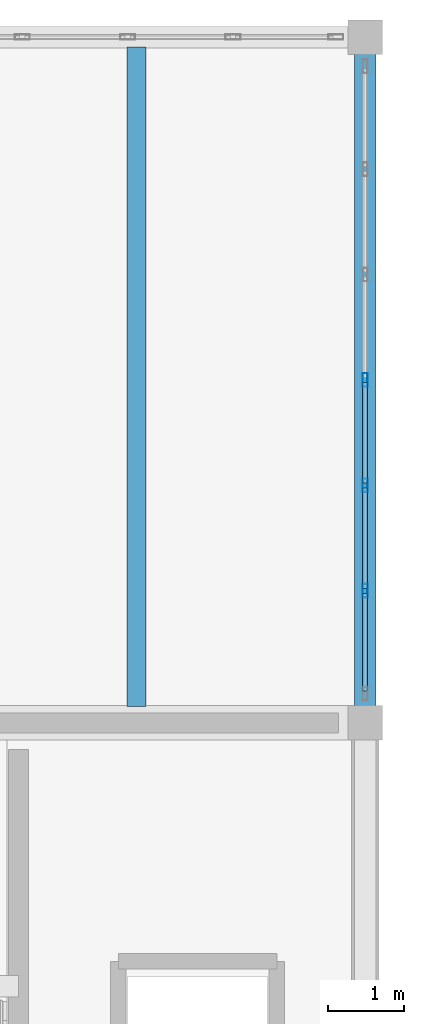
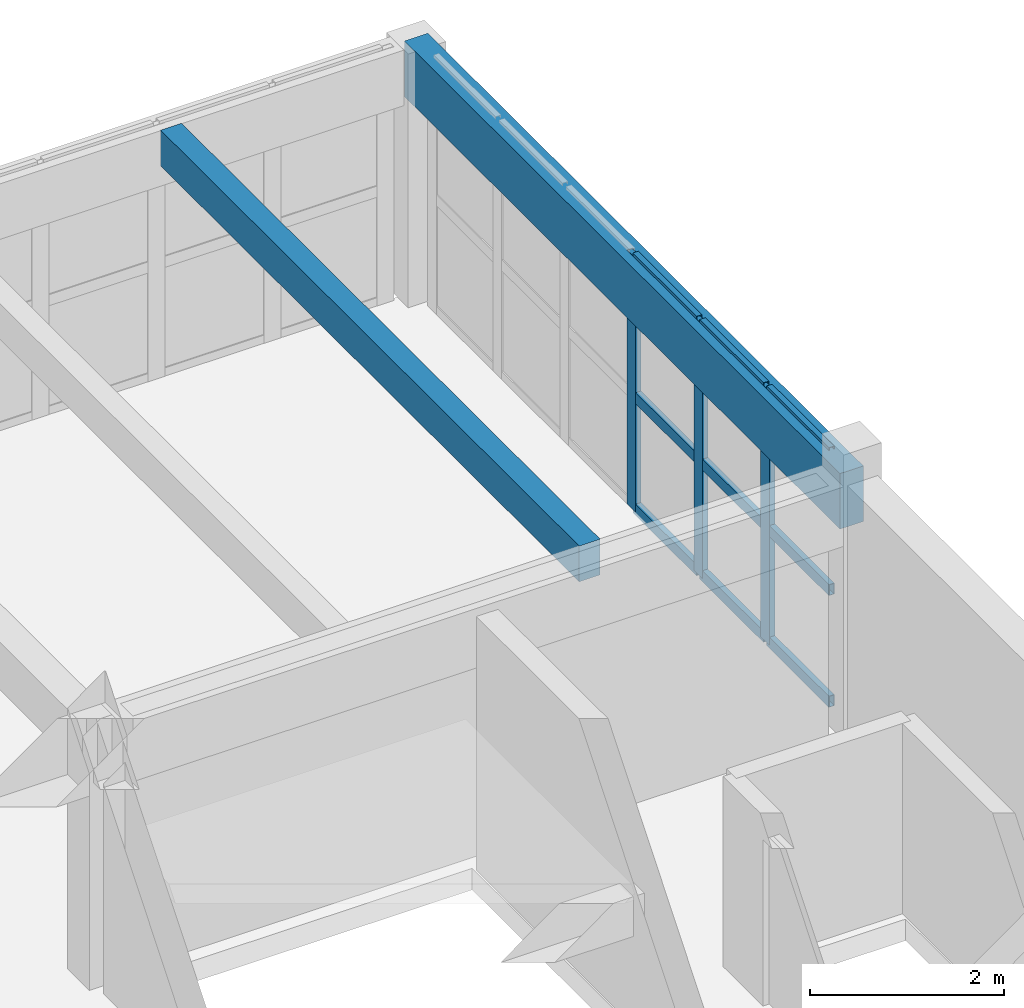
# One storey, part 51 of 80: 12 members, 2 beams, 1 element without a shape of its own.
"""IFC4 building model written with IfcOpenShell, lengths in metres."""

from ifc_helpers import new_model, si_unit, direction, frame, origin, origin_2d, place, context, subcontext, project, spatial, rectangle, hollow_rectangle, extrude, material, layer, layer_set, material_profile, profile_set, type_object, element, aggregate, save


model = new_model("IFC4")

# Units and contexts
model_context = context("Model", 3, precision=1e-05, world=origin(), true_north=direction((0.0, 1.0)))
body_context = subcontext(model_context, "Body", "Model", "MODEL_VIEW")
ifc_project = project(units=[si_unit("LENGTHUNIT", "METRE"), si_unit("AREAUNIT", "SQUARE_METRE"), si_unit("VOLUMEUNIT", "CUBIC_METRE"), si_unit("PLANEANGLEUNIT", "RADIAN"), si_unit("MASSUNIT", "GRAM", prefix="KILO")], contexts=[model_context])

# Site, building, storey
site_placement = place(None, origin())
site = spatial("IfcSite", under=ifc_project, at=site_placement, CompositionType="ELEMENT")
building_placement = place(site_placement, origin())
building = spatial("IfcBuilding", under=site, at=building_placement, Name="Ornek Quay Market", CompositionType="ELEMENT")
storey_placement = place(building_placement, frame((0.0, 0.0, 8.39990234375)))
storey = spatial("IfcBuildingStorey", under=building, at=storey_placement, Name="L02", CompositionType="ELEMENT", Elevation=8.39990234375)

# Beams
ifc_material_1 = material(Name="Concrete C35/45", Category="concrete")
ifc_material_profile_1 = material_profile(ifc_material_1, rectangle(XDim=0.25, YDim=0.449951171875, at=origin_2d()), Name="RC 250x450", Category="concrete")
ifc_profile_set_1 = profile_set([ifc_material_profile_1], Name="Concrete C35/45")
beam_type_1 = type_object("IfcBeamType", Name="BM-SEC-250x450", PredefinedType="JOIST", material=ifc_profile_set_1)
beam_1_placement = place(storey_placement, frame((177.0, 101.217041015625, 2.97509765625), z_axis=(0.0, 1.0, 0.0), x_axis=(-1.0, 0.0, 0.0)))
element("IfcBeam", 1, at=beam_1_placement, inside=storey, type_object=beam_type_1, Name="Secondary joist B-SC3-052", PredefinedType="JOIST", context=body_context, shape_type="SweptSolid", body=[
    extrude(rectangle(XDim=0.25, YDim=0.449951171875, at=origin_2d()), origin(), (0.0, 0.0, 1.0), 8.65087890625),
])
ifc_material_profile_2 = material_profile(ifc_material_1, rectangle(XDim=0.280029296875, YDim=0.699951171875, at=origin_2d()), Name="RC 280x700", Category="concrete")
ifc_profile_set_2 = profile_set([ifc_material_profile_2], Name="Concrete C35/45")
beam_type_2 = type_object("IfcBeamType", Name="BM-SPN-280x700", PredefinedType="SPANDREL", material=ifc_profile_set_2)
beam_2_placement = place(storey_placement, frame((180.0, 101.0, 2.85009765625), z_axis=(0.0, 1.0, 0.0), x_axis=(-1.0, 0.0, 0.0)))
element("IfcBeam", 2, at=beam_2_placement, inside=storey, type_object=beam_type_2, Name="Primary beam B-SP2-102", PredefinedType="SPANDREL", context=body_context, shape_type="SweptSolid", body=[
    extrude(rectangle(XDim=0.280029296875, YDim=0.699951171875, at=origin_2d()), origin(), (0.0, 0.0, 1.0), 9.0),
])

# Curtain wall, members
ifc_material_2 = material(Name="Anodised bronze aluminium and triple low-e glass", Category="aluminium")
ifc_layer = layer(ifc_material_2, 0.18994140625, Name="Anodised bronze aluminium and triple low-e glass", Category="aluminium")
ifc_layer_set = layer_set([ifc_layer], Name="Anodised bronze aluminium and triple low-e glass")
curtain_wall_type = type_object("IfcCurtainWallType", Name="CW-FC-MOD1500", PredefinedType="USERDEFINED", material=ifc_layer_set)
curtain_wall_placement = place(storey_placement, origin())
curtain_wall = element("IfcCurtainWall", 3, at=curtain_wall_placement, inside=storey, type_object=curtain_wall_type, Name="Curtain wall CW-092", ObjectType="CURTAIN WALL", PredefinedType="USERDEFINED")
ifc_material_3 = material(Name="Anodised aluminium 6063-T6", Category="aluminium")
ifc_material_profile_3 = material_profile(ifc_material_3, hollow_rectangle(XDim=0.06494140625, YDim=0.179931640625, WallThickness=0.00439453125, at=origin_2d()), Name="CW-MUL-65x180", Category="aluminium")
ifc_profile_set_3 = profile_set([ifc_material_profile_3], Name="Anodised aluminium 6063-T6")
member_type_1 = type_object("IfcMemberType", Name="CW-MUL-65x180", PredefinedType="MULLION", material=ifc_profile_set_3)
member_1_placement = place(storey_placement, frame((180.0, 102.7333984375, 0.0), z_axis=(0.0, 0.0, 1.0), x_axis=(-1.0, 0.0, 0.0)))
member_1 = element("IfcMember", 4, at=member_1_placement, type_object=member_type_1, Name="CW-092 mullion 2", PredefinedType="MULLION", context=body_context, shape_type="SweptSolid", body=[
    extrude(hollow_rectangle(XDim=0.06494140625, YDim=0.179931640625, WallThickness=0.00439453125, at=origin_2d()), origin(), (0.0, 0.0, 1.0), 3.2001953125),
])
member_2_placement = place(storey_placement, frame((180.0, 104.11669921875, 0.0), z_axis=(0.0, 0.0, 1.0), x_axis=(-1.0, 0.0, 0.0)))
member_2 = element("IfcMember", 5, at=member_2_placement, type_object=member_type_1, Name="CW-092 mullion 3", PredefinedType="MULLION", context=body_context, shape_type="SweptSolid", body=[
    extrude(hollow_rectangle(XDim=0.06494140625, YDim=0.179931640625, WallThickness=0.00439453125, at=origin_2d()), origin(), (0.0, 0.0, 1.0), 3.2001953125),
])
member_3_placement = place(storey_placement, frame((180.0, 105.5, 0.0), z_axis=(0.0, 0.0, 1.0), x_axis=(-1.0, 0.0, 0.0)))
member_3 = element("IfcMember", 6, at=member_3_placement, type_object=member_type_1, Name="CW-092 mullion 4", PredefinedType="MULLION", context=body_context, shape_type="SweptSolid", body=[
    extrude(hollow_rectangle(XDim=0.06494140625, YDim=0.179931640625, WallThickness=0.00439453125, at=origin_2d()), origin(), (0.0, 0.0, 1.0), 3.2001953125),
])
ifc_material_profile_4 = material_profile(ifc_material_3, hollow_rectangle(XDim=0.06494140625, YDim=0.139892578125, WallThickness=0.00439453125, at=origin_2d()), Name="CW-TRN-65x140", Category="aluminium")
ifc_profile_set_4 = profile_set([ifc_material_profile_4], Name="Anodised aluminium 6063-T6")
member_type_2 = type_object("IfcMemberType", Name="CW-TRN-65x140", PredefinedType="USERDEFINED", material=ifc_profile_set_4)
member_4_placement = place(storey_placement, frame((180.0, 101.4150390625, 0.03271484375), z_axis=(0.0, 1.0, 0.0), x_axis=(-1.0, 0.0, 0.0)))
member_4 = element("IfcMember", 7, at=member_4_placement, type_object=member_type_2, Name="CW-092 transom 1.1", ObjectType="TRANSOM", PredefinedType="USERDEFINED", context=body_context, shape_type="SweptSolid", body=[
    extrude(hollow_rectangle(XDim=0.06494140625, YDim=0.139892578125, WallThickness=0.00439453125, at=origin_2d()), origin(), (0.0, 0.0, 1.0), 1.285888671875),
])
member_5_placement = place(storey_placement, frame((180.0, 101.4150390625, 1.440185546875), z_axis=(0.0, 1.0, 0.0), x_axis=(-1.0, 0.0, 0.0)))
member_5 = element("IfcMember", 8, at=member_5_placement, type_object=member_type_2, Name="CW-092 transom 1.2", ObjectType="TRANSOM", PredefinedType="USERDEFINED", context=body_context, shape_type="SweptSolid", body=[
    extrude(hollow_rectangle(XDim=0.06494140625, YDim=0.139892578125, WallThickness=0.00439453125, at=origin_2d()), origin(), (0.0, 0.0, 1.0), 1.285888671875),
])
member_6_placement = place(storey_placement, frame((180.0, 101.4150390625, 3.16748046875), z_axis=(0.0, 1.0, 0.0), x_axis=(-1.0, 0.0, 0.0)))
member_6 = element("IfcMember", 9, at=member_6_placement, type_object=member_type_2, Name="CW-092 transom 1.3", ObjectType="TRANSOM", PredefinedType="USERDEFINED", context=body_context, shape_type="SweptSolid", body=[
    extrude(hollow_rectangle(XDim=0.06494140625, YDim=0.139892578125, WallThickness=0.00439453125, at=origin_2d()), origin(), (0.0, 0.0, 1.0), 1.285888671875),
])
member_7_placement = place(storey_placement, frame((180.0, 102.765869140625, 0.03271484375), z_axis=(0.0, 1.0, 0.0), x_axis=(-1.0, 0.0, 0.0)))
member_7 = element("IfcMember", 10, at=member_7_placement, type_object=member_type_2, Name="CW-092 transom 2.1", ObjectType="TRANSOM", PredefinedType="USERDEFINED", context=body_context, shape_type="SweptSolid", body=[
    extrude(hollow_rectangle(XDim=0.06494140625, YDim=0.139892578125, WallThickness=0.00439453125, at=origin_2d()), origin(), (0.0, 0.0, 1.0), 1.318359375),
])
member_8_placement = place(storey_placement, frame((180.0, 102.765869140625, 1.440185546875), z_axis=(0.0, 1.0, 0.0), x_axis=(-1.0, 0.0, 0.0)))
member_8 = element("IfcMember", 11, at=member_8_placement, type_object=member_type_2, Name="CW-092 transom 2.2", ObjectType="TRANSOM", PredefinedType="USERDEFINED", context=body_context, shape_type="SweptSolid", body=[
    extrude(hollow_rectangle(XDim=0.06494140625, YDim=0.139892578125, WallThickness=0.00439453125, at=origin_2d()), origin(), (0.0, 0.0, 1.0), 1.318359375),
])
member_9_placement = place(storey_placement, frame((180.0, 102.765869140625, 3.16748046875), z_axis=(0.0, 1.0, 0.0), x_axis=(-1.0, 0.0, 0.0)))
member_9 = element("IfcMember", 12, at=member_9_placement, type_object=member_type_2, Name="CW-092 transom 2.3", ObjectType="TRANSOM", PredefinedType="USERDEFINED", context=body_context, shape_type="SweptSolid", body=[
    extrude(hollow_rectangle(XDim=0.06494140625, YDim=0.139892578125, WallThickness=0.00439453125, at=origin_2d()), origin(), (0.0, 0.0, 1.0), 1.318359375),
])
member_10_placement = place(storey_placement, frame((180.0, 104.149169921875, 0.03271484375), z_axis=(0.0, 1.0, 0.0), x_axis=(-1.0, 0.0, 0.0)))
member_10 = element("IfcMember", 13, at=member_10_placement, type_object=member_type_2, Name="CW-092 transom 3.1", ObjectType="TRANSOM", PredefinedType="USERDEFINED", context=body_context, shape_type="SweptSolid", body=[
    extrude(hollow_rectangle(XDim=0.06494140625, YDim=0.139892578125, WallThickness=0.00439453125, at=origin_2d()), origin(), (0.0, 0.0, 1.0), 1.318359375),
])
member_11_placement = place(storey_placement, frame((180.0, 104.149169921875, 1.440185546875), z_axis=(0.0, 1.0, 0.0), x_axis=(-1.0, 0.0, 0.0)))
member_11 = element("IfcMember", 14, at=member_11_placement, type_object=member_type_2, Name="CW-092 transom 3.2", ObjectType="TRANSOM", PredefinedType="USERDEFINED", context=body_context, shape_type="SweptSolid", body=[
    extrude(hollow_rectangle(XDim=0.06494140625, YDim=0.139892578125, WallThickness=0.00439453125, at=origin_2d()), origin(), (0.0, 0.0, 1.0), 1.318359375),
])
member_12_placement = place(storey_placement, frame((180.0, 104.149169921875, 3.16748046875), z_axis=(0.0, 1.0, 0.0), x_axis=(-1.0, 0.0, 0.0)))
member_12 = element("IfcMember", 15, at=member_12_placement, type_object=member_type_2, Name="CW-092 transom 3.3", ObjectType="TRANSOM", PredefinedType="USERDEFINED", context=body_context, shape_type="SweptSolid", body=[
    extrude(hollow_rectangle(XDim=0.06494140625, YDim=0.139892578125, WallThickness=0.00439453125, at=origin_2d()), origin(), (0.0, 0.0, 1.0), 1.318359375),
])
aggregate(curtain_wall, [member_1, member_2, member_3, member_4, member_5, member_6, member_7, member_8, member_9, member_10, member_11, member_12])

save(model, "model.ifc")
